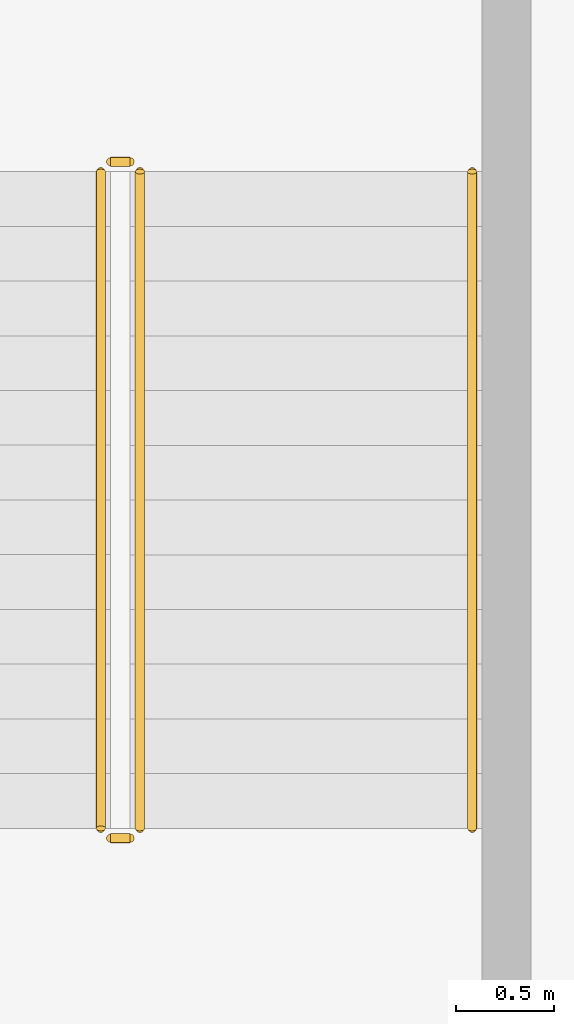
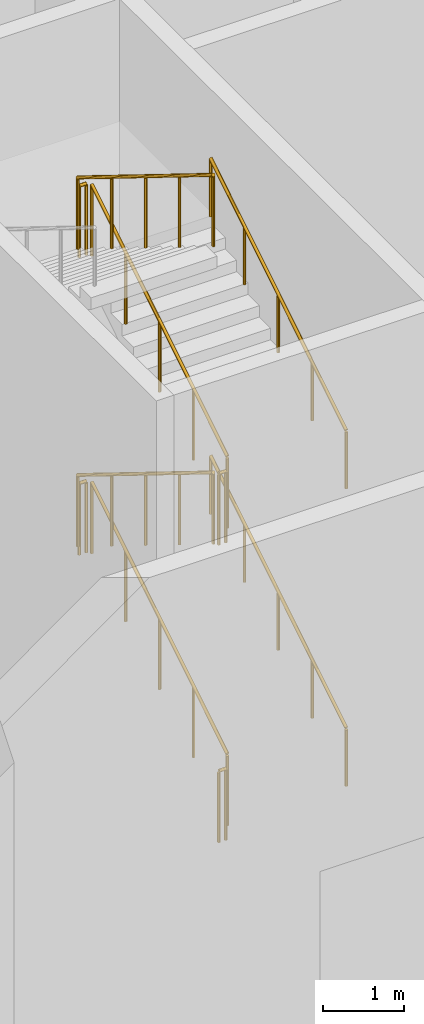
# One storey, part 39 of 43: 10 railings.
"""IFC4 building model written with IfcOpenShell, lengths in metres."""

from ifc_helpers import new_model, si_unit, direction, frame, origin, origin_2d, place, context, subcontext, project, spatial, circle, extrude, material, type_object, element, save


model = new_model("IFC4")

# Units and contexts
model_context = context("Model", 3, precision=1e-05, world=origin(), true_north=direction((0.0, 1.0)))
body_context = subcontext(model_context, "Body", "Model", "MODEL_VIEW")
ifc_project = project(units=[si_unit("LENGTHUNIT", "METRE"), si_unit("AREAUNIT", "SQUARE_METRE"), si_unit("VOLUMEUNIT", "CUBIC_METRE"), si_unit("PLANEANGLEUNIT", "RADIAN"), si_unit("MASSUNIT", "GRAM", prefix="KILO")], contexts=[model_context])

# Site, building, storey
site_placement = place(None, origin())
site = spatial("IfcSite", under=ifc_project, at=site_placement, CompositionType="ELEMENT")
building_placement = place(site_placement, origin())
building = spatial("IfcBuilding", under=site, at=building_placement, Name="Kilnfold Tower and Market Hall", CompositionType="ELEMENT")
storey_placement = place(building_placement, origin())
storey = spatial("IfcBuildingStorey", under=building, at=storey_placement, Name="L00", CompositionType="ELEMENT", Elevation=0.0)

# Railings
ifc_material_1 = material(Name="Steel S355", Category="steel")
railing_type_1 = type_object("IfcRailingType", Name="HALL STAIR GUARD 1100", PredefinedType="GUARDRAIL", material=ifc_material_1)
railing_1_placement = place(storey_placement, frame((-48.550048828125, 46.699951171875, 0.173095703125)))
element("IfcRailing", 1, at=railing_1_placement, inside=storey, type_object=railing_type_1, Name="L00 MS3 stair guard 1", PredefinedType="GUARDRAIL", context=body_context, shape_type="SweptSolid", body=[
    extrude(circle(Radius=0.02392578125, at=origin_2d()), frame((0.0, 0.0, 1.076171875), z_axis=(0.0, 0.850623216509, 0.525775754039), x_axis=(-1.0, 0.0, 0.0)), (0.0, 0.0, 1.0), 3.9501953125),
    extrude(circle(Radius=0.02099609375, at=origin_2d()), origin(), (0.0, 0.0, 1.0), 1.052001953125),
    extrude(circle(Radius=0.02099609375, at=origin_2d()), frame((0.0, 0.840087890625, 0.519287109375)), (0.0, 0.0, 1.0), 1.052001953125),
    extrude(circle(Radius=0.02099609375, at=origin_2d()), frame((0.0, 1.68017578125, 1.03857421875)), (0.0, 0.0, 1.0), 1.052001953125),
    extrude(circle(Radius=0.02099609375, at=origin_2d()), frame((0.0, 2.52001953125, 1.5576171875)), (0.0, 0.0, 1.0), 1.052001953125),
    extrude(circle(Radius=0.02099609375, at=origin_2d()), frame((0.0, 3.360107421875, 2.076904296875)), (0.0, 0.0, 1.0), 1.052001953125),
])
railing_2_placement = place(storey_placement, frame((-48.60009765625, 50.110107421875, 2.25)))
element("IfcRailing", 2, at=railing_2_placement, inside=storey, type_object=railing_type_1, Name="L00 MS3 stair guard 2", PredefinedType="GUARDRAIL", context=body_context, shape_type="SweptSolid", body=[
    extrude(circle(Radius=0.02392578125, at=origin_2d()), frame((0.0, 0.0, 1.076171875), z_axis=(-1.0, 0.0, 0.0), x_axis=(0.0, -1.0, 0.0)), (0.0, 0.0, 1.0), 0.099853515625),
    extrude(circle(Radius=0.02099609375, at=origin_2d()), origin(), (0.0, 0.0, 1.0), 1.052001953125),
    extrude(circle(Radius=0.02099609375, at=origin_2d()), frame((-0.099853515625, 0.0, 0.0)), (0.0, 0.0, 1.0), 1.052001953125),
])
railing_3_placement = place(storey_placement, frame((-48.75, 50.06005859375, 2.423095703125)))
element("IfcRailing", 3, at=railing_3_placement, inside=storey, type_object=railing_type_1, Name="L00 MS3 stair guard 3", PredefinedType="GUARDRAIL", context=body_context, shape_type="SweptSolid", body=[
    extrude(circle(Radius=0.02392578125, at=origin_2d()), frame((0.0, 0.0, 1.076171875), z_axis=(0.0, -0.850623216509, 0.525775754039), x_axis=(1.0, 0.0, 0.0)), (0.0, 0.0, 1.0), 3.9501953125),
    extrude(circle(Radius=0.02099609375, at=origin_2d()), origin(), (0.0, 0.0, 1.0), 1.052001953125),
    extrude(circle(Radius=0.02099609375, at=origin_2d()), frame((0.0, -0.840087890625, 0.519287109375)), (0.0, 0.0, 1.0), 1.052001953125),
    extrude(circle(Radius=0.02099609375, at=origin_2d()), frame((0.0, -1.68017578125, 1.03857421875)), (0.0, 0.0, 1.0), 1.052001953125),
    extrude(circle(Radius=0.02099609375, at=origin_2d()), frame((0.0, -2.52001953125, 1.5576171875)), (0.0, 0.0, 1.0), 1.052001953125),
    extrude(circle(Radius=0.02099609375, at=origin_2d()), frame((0.0, -3.360107421875, 2.076904296875)), (0.0, 0.0, 1.0), 1.052001953125),
])
railing_4_placement = place(storey_placement, frame((-48.60009765625, 46.64990234375, 4.5)))
element("IfcRailing", 4, at=railing_4_placement, inside=storey, type_object=railing_type_1, Name="L00 MS3 stair guard 4", PredefinedType="GUARDRAIL", context=body_context, shape_type="SweptSolid", body=[
    extrude(circle(Radius=0.02392578125, at=origin_2d()), frame((0.0, 0.0, 1.076171875), z_axis=(-1.0, 0.0, 0.0), x_axis=(0.0, -1.0, 0.0)), (0.0, 0.0, 1.0), 0.099853515625),
    extrude(circle(Radius=0.02099609375, at=origin_2d()), origin(), (0.0, 0.0, 1.0), 1.052001953125),
    extrude(circle(Radius=0.02099609375, at=origin_2d()), frame((-0.099853515625, 0.0, 0.0)), (0.0, 0.0, 1.0), 1.052001953125),
])
railing_5_placement = place(storey_placement, frame((-48.550048828125, 46.699951171875, 4.673095703125)))
element("IfcRailing", 5, at=railing_5_placement, inside=storey, type_object=railing_type_1, Name="L00 MS3 stair guard 5", PredefinedType="GUARDRAIL", context=body_context, shape_type="SweptSolid", body=[
    extrude(circle(Radius=0.02392578125, at=origin_2d()), frame((0.0, 0.0, 1.076171875), z_axis=(0.0, 0.850623216509, 0.525775754039), x_axis=(-1.0, 0.0, 0.0)), (0.0, 0.0, 1.0), 3.9501953125),
    extrude(circle(Radius=0.02099609375, at=origin_2d()), origin(), (0.0, 0.0, 1.0), 1.052001953125),
    extrude(circle(Radius=0.02099609375, at=origin_2d()), frame((0.0, 0.840087890625, 0.519287109375)), (0.0, 0.0, 1.0), 1.052001953125),
    extrude(circle(Radius=0.02099609375, at=origin_2d()), frame((0.0, 1.68017578125, 1.03857421875)), (0.0, 0.0, 1.0), 1.052001953125),
    extrude(circle(Radius=0.02099609375, at=origin_2d()), frame((0.0, 2.52001953125, 1.5576171875)), (0.0, 0.0, 1.0), 1.052001953125),
    extrude(circle(Radius=0.02099609375, at=origin_2d()), frame((0.0, 3.360107421875, 2.076904296875)), (0.0, 0.0, 1.0), 1.052001953125),
])
railing_6_placement = place(storey_placement, frame((-48.60009765625, 50.110107421875, 6.75)))
element("IfcRailing", 6, at=railing_6_placement, inside=storey, type_object=railing_type_1, Name="L00 MS3 stair guard 6", PredefinedType="GUARDRAIL", context=body_context, shape_type="SweptSolid", body=[
    extrude(circle(Radius=0.02392578125, at=origin_2d()), frame((0.0, 0.0, 1.076171875), z_axis=(-1.0, 0.0, 0.0), x_axis=(0.0, -1.0, 0.0)), (0.0, 0.0, 1.0), 0.099853515625),
    extrude(circle(Radius=0.02099609375, at=origin_2d()), origin(), (0.0, 0.0, 1.0), 1.052001953125),
    extrude(circle(Radius=0.02099609375, at=origin_2d()), frame((-0.099853515625, 0.0, 0.0)), (0.0, 0.0, 1.0), 1.052001953125),
])
railing_7_placement = place(storey_placement, frame((-48.75, 50.06005859375, 6.923095703125)))
element("IfcRailing", 7, at=railing_7_placement, inside=storey, type_object=railing_type_1, Name="L00 MS3 stair guard 7", PredefinedType="GUARDRAIL", context=body_context, shape_type="SweptSolid", body=[
    extrude(circle(Radius=0.02392578125, at=origin_2d()), frame((0.0, 0.0, 1.076171875), z_axis=(0.0, -0.850623216509, 0.525775754039), x_axis=(1.0, 0.0, 0.0)), (0.0, 0.0, 1.0), 3.9501953125),
    extrude(circle(Radius=0.02099609375, at=origin_2d()), origin(), (0.0, 0.0, 1.0), 1.052001953125),
    extrude(circle(Radius=0.02099609375, at=origin_2d()), frame((0.0, -0.840087890625, 0.519287109375)), (0.0, 0.0, 1.0), 1.052001953125),
    extrude(circle(Radius=0.02099609375, at=origin_2d()), frame((0.0, -1.68017578125, 1.03857421875)), (0.0, 0.0, 1.0), 1.052001953125),
    extrude(circle(Radius=0.02099609375, at=origin_2d()), frame((0.0, -2.52001953125, 1.5576171875)), (0.0, 0.0, 1.0), 1.052001953125),
    extrude(circle(Radius=0.02099609375, at=origin_2d()), frame((0.0, -3.360107421875, 2.076904296875)), (0.0, 0.0, 1.0), 1.052001953125),
])
railing_8_placement = place(storey_placement, frame((-48.60009765625, 46.64990234375, 0.0)))
element("IfcRailing", 8, at=railing_8_placement, inside=storey, type_object=railing_type_1, Name="L00 MS3 stair guard 8", PredefinedType="GUARDRAIL", context=body_context, shape_type="SweptSolid", body=[
    extrude(circle(Radius=0.02392578125, at=origin_2d()), frame((0.0, 0.0, 1.076171875), z_axis=(-1.0, 0.0, 0.0), x_axis=(0.0, -1.0, 0.0)), (0.0, 0.0, 1.0), 0.099853515625),
    extrude(circle(Radius=0.02099609375, at=origin_2d()), origin(), (0.0, 0.0, 1.0), 1.052001953125),
    extrude(circle(Radius=0.02099609375, at=origin_2d()), frame((-0.099853515625, 0.0, 0.0)), (0.0, 0.0, 1.0), 1.052001953125),
])
ifc_material_2 = material(Name="Steel S355", Category="steel")
railing_type_2 = type_object("IfcRailingType", Name="HALL STAIR HANDRAIL", PredefinedType="HANDRAIL", material=ifc_material_2)
for number, where, name in (
    (9, (-46.85009765625, 46.699951171875, 0.173095703125), "L00 MS3 stair handrail 1"),
    (10, (-46.85009765625, 46.699951171875, 4.673095703125), "L00 MS3 stair handrail 3"),
):
    element("IfcRailing", number, at=place(storey_placement, frame(where)), inside=storey, type_object=railing_type_2, Name=name, PredefinedType="HANDRAIL", context=body_context, shape_type="SweptSolid", body=[
        extrude(circle(Radius=0.02392578125, at=origin_2d()), frame((0.0, 0.0, 0.8759765625), z_axis=(0.0, 0.850623216509, 0.525775754039), x_axis=(-1.0, 0.0, 0.0)), (0.0, 0.0, 1.0), 3.9501953125),
        extrude(circle(Radius=0.02099609375, at=origin_2d()), origin(), (0.0, 0.0, 1.0), 0.851806640625),
        extrude(circle(Radius=0.02099609375, at=origin_2d()), frame((0.0, 0.840087890625, 0.519287109375)), (0.0, 0.0, 1.0), 0.851806640625),
        extrude(circle(Radius=0.02099609375, at=origin_2d()), frame((0.0, 1.68017578125, 1.03857421875)), (0.0, 0.0, 1.0), 0.851806640625),
        extrude(circle(Radius=0.02099609375, at=origin_2d()), frame((0.0, 2.52001953125, 1.5576171875)), (0.0, 0.0, 1.0), 0.851806640625),
        extrude(circle(Radius=0.02099609375, at=origin_2d()), frame((0.0, 3.360107421875, 2.076904296875)), (0.0, 0.0, 1.0), 0.851806640625),
    ])

save(model, "model.ifc")
